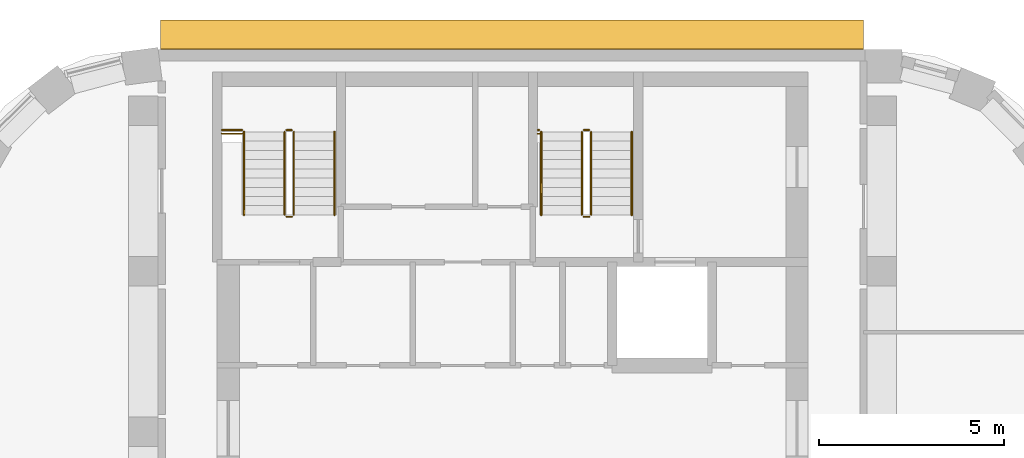
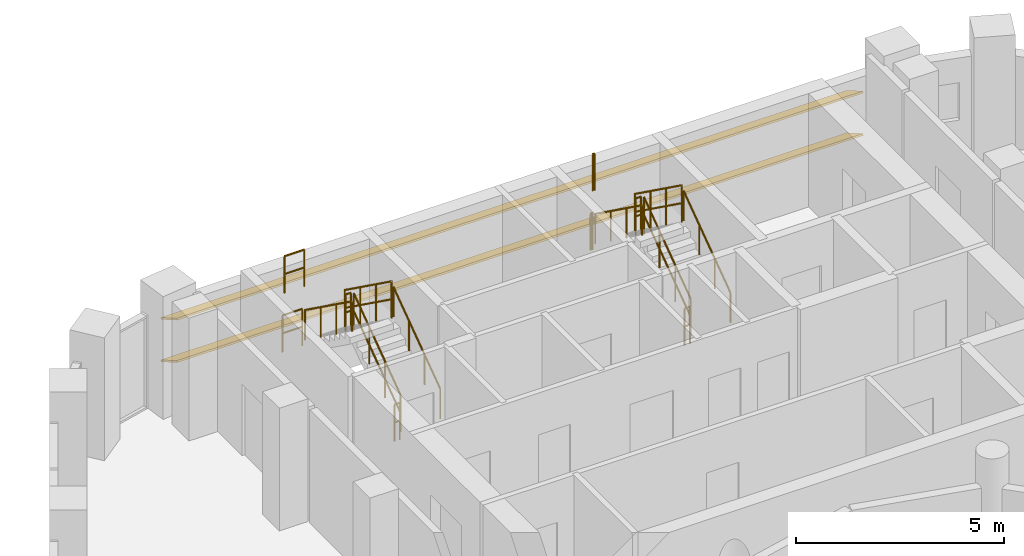
# One storey, part 16 of 16: 16 railings, 2 shading devices.
"""IFC4 building model written with IfcOpenShell, lengths in metres."""

import ifcopenshell
import ifcopenshell.guid

model = None  # the IFC model being written
_history = None  # IfcOwnerHistory: only IFC2X3 demands one
_inside = {}  # id of a spatial element -> (the spatial element, [elements in it])
_under = {}  # id of a project, library or spatial element -> (it, [spatial elements below it])
_declared = {}  # id of a project -> (the project, [libraries it declares])
_typed = {}  # id of a type object -> (the type object, [elements of that type])
_made_of = {}  # id of a material, layer set ... -> (it, [elements and type objects made of it])


def new_model(schema):
    """Start an empty IFC model of exactly this schema.

    Asked for "IFC4X3", IfcOpenShell would pick the latest addendum, in which some entities
    have other attributes; the version numbers below select the first issue.
    IFC2X3 requires an IfcOwnerHistory on every rooted entity: one is made here for all.
    """
    global model, _history
    if schema == "IFC4X3":
        model = ifcopenshell.file(schema_version=(4, 3, 0, 0))
    else:
        model = ifcopenshell.file(schema=schema)
    _inside.clear()
    _under.clear()
    _declared.clear()
    _typed.clear()
    _made_of.clear()
    _history = None
    if model.schema == "IFC2X3":
        org = make("IfcOrganization", Name="unknown")
        user = make(
            "IfcPersonAndOrganization",
            ThePerson=make("IfcPerson", FamilyName="unknown"),
            TheOrganization=org,
        )
        app = make(
            "IfcApplication",
            ApplicationDeveloper=org,
            Version="unknown",
            ApplicationFullName="unknown",
            ApplicationIdentifier="unknown",
        )
        _history = make(
            "IfcOwnerHistory",
            OwningUser=user,
            OwningApplication=app,
            ChangeAction="ADDED",
            CreationDate=0,
        )
    return model


def make(cls, **values):
    """One entity of the class cls with the attributes given. An attribute that is None is left unset."""
    return model.create_entity(
        cls, **{name: value for name, value in values.items() if value is not None}
    )


def rooted(cls, **values):
    """An entity with a GlobalId (a new one), such as an element, a storey or a relation."""
    return make(cls, GlobalId=ifcopenshell.guid.new(), OwnerHistory=_history, **values)


def si_unit(unit_type, name, prefix=None):
    """IfcSIUnit, for example si_unit("LENGTHUNIT", "METRE", prefix="MILLI")."""
    return make("IfcSIUnit", UnitType=unit_type, Prefix=prefix, Name=name)


def assignment(units):
    """IfcUnitAssignment: the units of a project."""
    return None if units is None else make("IfcUnitAssignment", Units=units)


def point(xyz):
    """IfcCartesianPoint."""
    return None if xyz is None else make("IfcCartesianPoint", Coordinates=xyz)


def direction(xyz):
    """IfcDirection."""
    return None if xyz is None else make("IfcDirection", DirectionRatios=xyz)


def frame(location, z_axis=None, x_axis=None):
    """IfcAxis2Placement3D, a coordinate frame: its origin and axes. An axis left out is left unset."""
    return make(
        "IfcAxis2Placement3D",
        Location=point(location),
        Axis=direction(z_axis),
        RefDirection=direction(x_axis),
    )


def frame_2d(location, x_axis=None):
    """IfcAxis2Placement2D, a coordinate frame in the plane: its origin and x axis."""
    return make(
        "IfcAxis2Placement2D", Location=point(location), RefDirection=direction(x_axis)
    )


def origin():
    """The frame at (0, 0, 0) with its axes left unset."""
    return frame((0.0, 0.0, 0.0))


def origin_2d():
    """The frame at (0, 0) in the plane with its x axis left unset."""
    return frame_2d((0.0, 0.0))


def place(relative_to, where):
    """IfcLocalPlacement: puts the frame where relative to a parent placement (None: the world)."""
    return make(
        "IfcLocalPlacement", PlacementRelTo=relative_to, RelativePlacement=where
    )


def context(
    kind, dimensions, precision=None, world=None, true_north=None, identifier=None
):
    """IfcGeometricRepresentationContext, for example the 3D "Model" context."""
    return make(
        "IfcGeometricRepresentationContext",
        ContextIdentifier=identifier,
        ContextType=kind,
        CoordinateSpaceDimension=dimensions,
        Precision=precision,
        WorldCoordinateSystem=world,
        TrueNorth=true_north,
    )


def subcontext(parent, identifier, kind, view, scale=None):
    """IfcGeometricRepresentationSubContext, for example "Body" below "Model"."""
    return make(
        "IfcGeometricRepresentationSubContext",
        ContextIdentifier=identifier,
        ContextType=kind,
        ParentContext=parent,
        TargetScale=scale,
        TargetView=view,
    )


def project(units=None, contexts=None):
    """IfcProject with its units and contexts."""
    return rooted(
        "IfcProject",
        Name="project",
        RepresentationContexts=contexts,
        UnitsInContext=assignment(units),
    )


def spatial(cls, under=None, at=None, **own):
    """A site, building, storey or space (cls), placed at a placement, below another one or the project."""
    s = rooted(cls, ObjectPlacement=at, **own)
    if under is not None:
        _under.setdefault(under.id(), (under, []))[1].append(s)
    return s


def profile(cls, at=None, kind="AREA", **sizes):
    """A parametric profile (cls). Its sizes go by their IFC names, for example OverallWidth=200.0."""
    return make(cls, ProfileType=kind, Position=at, **sizes)


def rectangle(**sizes):
    """IfcRectangleProfileDef."""
    return profile("IfcRectangleProfileDef", **sizes)


def circle(**sizes):
    """IfcCircleProfileDef."""
    return profile("IfcCircleProfileDef", **sizes)


def extrude(swept, where, along, depth):
    """IfcExtrudedAreaSolid: the profile swept, set in the frame where, extruded along a direction by depth."""
    return make(
        "IfcExtrudedAreaSolid",
        SweptArea=swept,
        Position=where,
        ExtrudedDirection=direction(along),
        Depth=depth,
    )


def shape(context_of_items, identifier, shape_type, items):
    """IfcShapeRepresentation: the items that make up one representation, for example the "Body"."""
    return make(
        "IfcShapeRepresentation",
        ContextOfItems=context_of_items,
        RepresentationIdentifier=identifier,
        RepresentationType=shape_type,
        Items=items,
    )


def material(Name=None, Category=None):
    """IfcMaterial."""
    return make("IfcMaterial", Name=Name, Category=Category)


def material_profile(
    of_material, cross_section, Name=None, Category=None, Priority=None
):
    """IfcMaterialProfile: a cross section and its material."""
    return make(
        "IfcMaterialProfile",
        Name=Name,
        Material=of_material,
        Profile=cross_section,
        Priority=Priority,
        Category=Category,
    )


def profile_set(profiles, Name=None, composite=None):
    """IfcMaterialProfileSet."""
    return make(
        "IfcMaterialProfileSet",
        Name=Name,
        MaterialProfiles=profiles,
        CompositeProfile=composite,
    )


def made_of(thing, what):
    """Note that an element or type object is made of a material, layer set ...; save() writes the relation."""
    if what is not None:
        _made_of.setdefault(what.id(), (what, []))[1].append(thing)
    return thing


def type_object(cls, material=None, **own):
    """A type object (cls), such as IfcWallType, which elements share."""
    return made_of(rooted(cls, **own), material)


def element(
    cls,
    number,
    at=None,
    inside=None,
    cuts=None,
    type_object=None,
    material=None,
    context=None,
    identifier="Body",
    shape_type=None,
    held_by="IfcProductDefinitionShape",
    body=None,
    shapes=None,
    **own,
):
    """One element of the class cls, such as IfcWall. Its Tag is "e" and its number.

    at: its placement. inside: the storey or other place that contains it. cuts: it is an
    opening in that element (IfcRelVoidsElement). A single representation is given by context,
    identifier, shape_type and body (its items); several are given by shapes. held_by: the class
    of the entity that holds the representations. save() writes the other relations.
    """
    e = rooted(cls, Tag="e%d" % number, ObjectPlacement=at, **own)
    if body is not None:
        shapes = [shape(context, identifier, shape_type, body)]
    if shapes is not None:
        e.Representation = make(held_by, Representations=shapes)
    if inside is not None:
        _inside.setdefault(inside.id(), (inside, []))[1].append(e)
    if cuts is not None:
        rooted(
            "IfcRelVoidsElement", RelatingBuildingElement=cuts, RelatedOpeningElement=e
        )
    if type_object is not None:
        _typed.setdefault(type_object.id(), (type_object, []))[1].append(e)
    return made_of(e, material)


def aggregate(whole, parts):
    """IfcRelAggregates: a whole, such as a stair, and the parts it consists of."""
    return rooted("IfcRelAggregates", RelatingObject=whole, RelatedObjects=parts)


def save(model, path):
    """Write the relations noted so far, then the file.

    IfcRelAggregates (storeys below a building ...), IfcRelContainedInSpatialStructure (elements
    in a storey), IfcRelDefinesByType, IfcRelAssociatesMaterial and IfcRelDeclares: one each for
    every whole, place, type object, material and project.
    """
    for whole, parts in _under.values():
        aggregate(whole, parts)
    for where, things in _inside.values():
        rooted(
            "IfcRelContainedInSpatialStructure",
            RelatedElements=things,
            RelatingStructure=where,
        )
    for kind, things in _typed.values():
        rooted("IfcRelDefinesByType", RelatedObjects=things, RelatingType=kind)
    for what, things in _made_of.values():
        rooted("IfcRelAssociatesMaterial", RelatedObjects=things, RelatingMaterial=what)
    for by, libraries in _declared.values():
        rooted("IfcRelDeclares", RelatingContext=by, RelatedDefinitions=libraries)
    model.write(path)


model = new_model("IFC4")

# Units and contexts
model_context = context("Model", 3, precision=1e-05, world=origin(), true_north=direction((0.0, 1.0)))
body_context = subcontext(model_context, "Body", "Model", "MODEL_VIEW")
ifc_project = project(units=[si_unit("LENGTHUNIT", "METRE"), si_unit("AREAUNIT", "SQUARE_METRE"), si_unit("VOLUMEUNIT", "CUBIC_METRE"), si_unit("PLANEANGLEUNIT", "RADIAN"), si_unit("MASSUNIT", "GRAM", prefix="KILO")], contexts=[model_context])

# Site, building, storey
site_placement = place(None, origin())
site = spatial("IfcSite", under=ifc_project, at=site_placement, CompositionType="ELEMENT")
building_placement = place(site_placement, origin())
building = spatial("IfcBuilding", under=site, at=building_placement, Name="Nakaniwa Court", CompositionType="ELEMENT")
storey_placement = place(building_placement, frame((0.0, 0.0, 272.39990234375)))
storey = spatial("IfcBuildingStorey", under=building, at=storey_placement, Name="C01", CompositionType="ELEMENT", Elevation=272.39990234375)

# Shading devices
ifc_material_1 = material(Name="Perforated charcoal ceramic louvre blade")
ifc_material_profile = material_profile(ifc_material_1, rectangle(XDim=0.89990234375, YDim=0.050048828125, at=origin_2d()), Name="Perforated ceramic louvre blade")
ifc_profile_set = profile_set([ifc_material_profile], Name="Perforated charcoal ceramic louvre blade")
shading_device_type = type_object("IfcShadingDeviceType", Name="Perforated ceramic louvre blade", PredefinedType="JALOUSIE", material=ifc_profile_set)
for number, where, z_axis, x_axis, name in (
    (1, (89.499267578125, 103.05224609375, 0.550048828125), (-1.0, 0.0, 0.0), (0.0, -0.866025403784, 0.5), "C01 perforated ceramic louvre blade w08 1"),
    (2, (89.499267578125, 103.05224609375, 1.79345703125), (-1.0, 0.0, 0.0), (0.0, -0.866025403784, 0.5), "C01 perforated ceramic louvre blade w08 2"),
):
    element("IfcShadingDevice", number, at=place(storey_placement, frame(where, z_axis=z_axis, x_axis=x_axis)), inside=storey, type_object=shading_device_type, Name=name, PredefinedType="JALOUSIE", context=body_context, shape_type="SweptSolid", body=[
        extrude(rectangle(XDim=0.89990234375, YDim=0.050048828125, at=origin_2d()), origin(), (0.0, 0.0, 1.0), 19.03369140625),
    ])

# Railings
ifc_material_2 = material(Name="Black powder coated steel guard", Category="steel")
railing_type_1 = type_object("IfcRailingType", Name="Stair guard 1100", PredefinedType="GUARDRAIL", material=ifc_material_2)
railing_1_placement = place(storey_placement, frame((74.074951171875, 98.175048828125, 0.18017578125)))
element("IfcRailing", 3, at=railing_1_placement, inside=storey, type_object=railing_type_1, Name="C01 ST1 stair guard 1", PredefinedType="GUARDRAIL", context=body_context, shape_type="SweptSolid", body=[
    extrude(circle(Radius=0.02392578125, at=origin_2d()), frame((0.0, 0.0, 1.076171875), z_axis=(0.0, 0.811556054185, 0.58427456809), x_axis=(-1.0, 0.0, 0.0)), (0.0, 0.0, 1.0), 2.7724609375),
    extrude(circle(Radius=0.02392578125, at=origin_2d()), frame((0.0, 0.0, 0.550048828125), z_axis=(0.0, 0.811556054185, 0.58427456809), x_axis=(-1.0, 0.0, 0.0)), (0.0, 0.0, 1.0), 2.7724609375),
    extrude(circle(Radius=0.02099609375, at=origin_2d()), origin(), (0.0, 0.0, 1.0), 1.052001953125),
    extrude(circle(Radius=0.02099609375, at=origin_2d()), frame((0.0, 0.75, 0.5400390625)), (0.0, 0.0, 1.0), 1.052001953125),
    extrude(circle(Radius=0.02099609375, at=origin_2d()), frame((0.0, 1.5, 1.079833984375)), (0.0, 0.0, 1.0), 1.052001953125),
    extrude(circle(Radius=0.02099609375, at=origin_2d()), frame((0.0, 2.25, 1.619873046875)), (0.0, 0.0, 1.0), 1.052001953125),
])
railing_2_placement = place(storey_placement, frame((74.02490234375, 100.47509765625, 1.800048828125)))
element("IfcRailing", 4, at=railing_2_placement, inside=storey, type_object=railing_type_1, Name="C01 ST1 stair guard 2", PredefinedType="GUARDRAIL", context=body_context, shape_type="SweptSolid", body=[
    extrude(circle(Radius=0.02392578125, at=origin_2d()), frame((0.0, 0.0, 1.076171875), z_axis=(-1.0, 0.0, 0.0), x_axis=(0.0, -1.0, 0.0)), (0.0, 0.0, 1.0), 0.14990234375),
    extrude(circle(Radius=0.02392578125, at=origin_2d()), frame((0.0, 0.0, 0.550048828125), z_axis=(-1.0, 0.0, 0.0), x_axis=(0.0, -1.0, 0.0)), (0.0, 0.0, 1.0), 0.14990234375),
    extrude(circle(Radius=0.02099609375, at=origin_2d()), origin(), (0.0, 0.0, 1.0), 1.052001953125),
    extrude(circle(Radius=0.02099609375, at=origin_2d()), frame((-0.14990234375, 0.0, 0.0)), (0.0, 0.0, 1.0), 1.052001953125),
])
railing_3_placement = place(storey_placement, frame((73.824951171875, 100.425048828125, 1.97998046875)))
element("IfcRailing", 5, at=railing_3_placement, inside=storey, type_object=railing_type_1, Name="C01 ST1 stair guard 3", PredefinedType="GUARDRAIL", context=body_context, shape_type="SweptSolid", body=[
    extrude(circle(Radius=0.02392578125, at=origin_2d()), frame((0.0, 0.0, 1.076171875), z_axis=(0.0, -0.811514298965, 0.584332561625), x_axis=(1.0, 0.0, 0.0)), (0.0, 0.0, 1.0), 2.772705078125),
    extrude(circle(Radius=0.02392578125, at=origin_2d()), frame((0.0, 0.0, 0.550048828125), z_axis=(0.0, -0.811514298965, 0.584332561625), x_axis=(1.0, 0.0, 0.0)), (0.0, 0.0, 1.0), 2.772705078125),
    extrude(circle(Radius=0.02099609375, at=origin_2d()), origin(), (0.0, 0.0, 1.0), 1.052001953125),
    extrude(circle(Radius=0.02099609375, at=origin_2d()), frame((0.0, -0.75, 0.5400390625)), (0.0, 0.0, 1.0), 1.052001953125),
    extrude(circle(Radius=0.02099609375, at=origin_2d()), frame((0.0, -1.5, 1.080078125)), (0.0, 0.0, 1.0), 1.052001953125),
    extrude(circle(Radius=0.02099609375, at=origin_2d()), frame((0.0, -2.25, 1.6201171875)), (0.0, 0.0, 1.0), 1.052001953125),
])
railing_4_placement = place(storey_placement, frame((74.02490234375, 98.125, 0.0)))
element("IfcRailing", 6, at=railing_4_placement, inside=storey, type_object=railing_type_1, Name="C01 ST1 stair guard 4", PredefinedType="GUARDRAIL", context=body_context, shape_type="SweptSolid", body=[
    extrude(circle(Radius=0.02392578125, at=origin_2d()), frame((0.0, 0.0, 1.076171875), z_axis=(-1.0, 0.0, 0.0), x_axis=(0.0, -1.0, 0.0)), (0.0, 0.0, 1.0), 0.14990234375),
    extrude(circle(Radius=0.02392578125, at=origin_2d()), frame((0.0, 0.0, 0.550048828125), z_axis=(-1.0, 0.0, 0.0), x_axis=(0.0, -1.0, 0.0)), (0.0, 0.0, 1.0), 0.14990234375),
    extrude(circle(Radius=0.02099609375, at=origin_2d()), origin(), (0.0, 0.0, 1.0), 1.052001953125),
    extrude(circle(Radius=0.02099609375, at=origin_2d()), frame((-0.14990234375, 0.0, 0.0)), (0.0, 0.0, 1.0), 1.052001953125),
])
for number, where, name in (
    (7, (72.125, 100.47509765625, 1.800048828125), "C01 ST1 landing side guard 1W"),
    (8, (72.125, 100.375, 3.60009765625), "C01 ST1 floor edge guard 1W"),
):
    element("IfcRailing", number, at=place(storey_placement, frame(where)), inside=storey, type_object=railing_type_1, Name=name, PredefinedType="GUARDRAIL", context=body_context, shape_type="SweptSolid", body=[
        extrude(circle(Radius=0.02392578125, at=origin_2d()), frame((0.0, 0.0, 1.076171875), z_axis=(1.0, 0.0, 0.0), x_axis=(0.0, 1.0, 0.0)), (0.0, 0.0, 1.0), 0.550048828125),
        extrude(circle(Radius=0.02392578125, at=origin_2d()), frame((0.0, 0.0, 0.550048828125), z_axis=(1.0, 0.0, 0.0), x_axis=(0.0, 1.0, 0.0)), (0.0, 0.0, 1.0), 0.550048828125),
        extrude(circle(Radius=0.02099609375, at=origin_2d()), origin(), (0.0, 0.0, 1.0), 1.052001953125),
        extrude(circle(Radius=0.02099609375, at=origin_2d()), frame((0.550048828125, 0.0, 0.0)), (0.0, 0.0, 1.0), 1.052001953125),
    ])
railing_5_placement = place(storey_placement, frame((82.125, 98.175048828125, 0.18017578125)))
element("IfcRailing", 9, at=railing_5_placement, inside=storey, type_object=railing_type_1, Name="C01 ST2 stair guard 1", PredefinedType="GUARDRAIL", context=body_context, shape_type="SweptSolid", body=[
    extrude(circle(Radius=0.02392578125, at=origin_2d()), frame((0.0, 0.0, 1.076171875), z_axis=(0.0, 0.811556054185, 0.58427456809), x_axis=(-1.0, 0.0, 0.0)), (0.0, 0.0, 1.0), 2.7724609375),
    extrude(circle(Radius=0.02392578125, at=origin_2d()), frame((0.0, 0.0, 0.550048828125), z_axis=(0.0, 0.811556054185, 0.58427456809), x_axis=(-1.0, 0.0, 0.0)), (0.0, 0.0, 1.0), 2.7724609375),
    extrude(circle(Radius=0.02099609375, at=origin_2d()), origin(), (0.0, 0.0, 1.0), 1.052001953125),
    extrude(circle(Radius=0.02099609375, at=origin_2d()), frame((0.0, 0.75, 0.5400390625)), (0.0, 0.0, 1.0), 1.052001953125),
    extrude(circle(Radius=0.02099609375, at=origin_2d()), frame((0.0, 1.5, 1.079833984375)), (0.0, 0.0, 1.0), 1.052001953125),
    extrude(circle(Radius=0.02099609375, at=origin_2d()), frame((0.0, 2.25, 1.619873046875)), (0.0, 0.0, 1.0), 1.052001953125),
])
railing_6_placement = place(storey_placement, frame((82.074951171875, 100.47509765625, 1.800048828125)))
element("IfcRailing", 10, at=railing_6_placement, inside=storey, type_object=railing_type_1, Name="C01 ST2 stair guard 2", PredefinedType="GUARDRAIL", context=body_context, shape_type="SweptSolid", body=[
    extrude(circle(Radius=0.02392578125, at=origin_2d()), frame((0.0, 0.0, 1.076171875), z_axis=(-1.0, 0.0, 0.0), x_axis=(0.0, -1.0, 0.0)), (0.0, 0.0, 1.0), 0.14990234375),
    extrude(circle(Radius=0.02392578125, at=origin_2d()), frame((0.0, 0.0, 0.550048828125), z_axis=(-1.0, 0.0, 0.0), x_axis=(0.0, -1.0, 0.0)), (0.0, 0.0, 1.0), 0.14990234375),
    extrude(circle(Radius=0.02099609375, at=origin_2d()), origin(), (0.0, 0.0, 1.0), 1.052001953125),
    extrude(circle(Radius=0.02099609375, at=origin_2d()), frame((-0.14990234375, 0.0, 0.0)), (0.0, 0.0, 1.0), 1.052001953125),
])
railing_7_placement = place(storey_placement, frame((81.875, 100.425048828125, 1.97998046875)))
element("IfcRailing", 11, at=railing_7_placement, inside=storey, type_object=railing_type_1, Name="C01 ST2 stair guard 3", PredefinedType="GUARDRAIL", context=body_context, shape_type="SweptSolid", body=[
    extrude(circle(Radius=0.02392578125, at=origin_2d()), frame((0.0, 0.0, 1.076171875), z_axis=(0.0, -0.811514298965, 0.584332561625), x_axis=(1.0, 0.0, 0.0)), (0.0, 0.0, 1.0), 2.772705078125),
    extrude(circle(Radius=0.02392578125, at=origin_2d()), frame((0.0, 0.0, 0.550048828125), z_axis=(0.0, -0.811514298965, 0.584332561625), x_axis=(1.0, 0.0, 0.0)), (0.0, 0.0, 1.0), 2.772705078125),
    extrude(circle(Radius=0.02099609375, at=origin_2d()), origin(), (0.0, 0.0, 1.0), 1.052001953125),
    extrude(circle(Radius=0.02099609375, at=origin_2d()), frame((0.0, -0.75, 0.5400390625)), (0.0, 0.0, 1.0), 1.052001953125),
    extrude(circle(Radius=0.02099609375, at=origin_2d()), frame((0.0, -1.5, 1.080078125)), (0.0, 0.0, 1.0), 1.052001953125),
    extrude(circle(Radius=0.02099609375, at=origin_2d()), frame((0.0, -2.25, 1.6201171875)), (0.0, 0.0, 1.0), 1.052001953125),
])
railing_8_placement = place(storey_placement, frame((82.074951171875, 98.125, 0.0)))
element("IfcRailing", 12, at=railing_8_placement, inside=storey, type_object=railing_type_1, Name="C01 ST2 stair guard 4", PredefinedType="GUARDRAIL", context=body_context, shape_type="SweptSolid", body=[
    extrude(circle(Radius=0.02392578125, at=origin_2d()), frame((0.0, 0.0, 1.076171875), z_axis=(-1.0, 0.0, 0.0), x_axis=(0.0, -1.0, 0.0)), (0.0, 0.0, 1.0), 0.14990234375),
    extrude(circle(Radius=0.02392578125, at=origin_2d()), frame((0.0, 0.0, 0.550048828125), z_axis=(-1.0, 0.0, 0.0), x_axis=(0.0, -1.0, 0.0)), (0.0, 0.0, 1.0), 0.14990234375),
    extrude(circle(Radius=0.02099609375, at=origin_2d()), origin(), (0.0, 0.0, 1.0), 1.052001953125),
    extrude(circle(Radius=0.02099609375, at=origin_2d()), frame((-0.14990234375, 0.0, 0.0)), (0.0, 0.0, 1.0), 1.052001953125),
])
for number, where, name in (
    (13, (80.675048828125, 100.47509765625, 1.800048828125), "C01 ST2 landing side guard 1W"),
    (14, (80.675048828125, 100.375, 3.60009765625), "C01 ST2 floor edge guard 1W"),
):
    element("IfcRailing", number, at=place(storey_placement, frame(where)), inside=storey, type_object=railing_type_1, Name=name, PredefinedType="GUARDRAIL", context=body_context, shape_type="SweptSolid", body=[
        extrude(circle(Radius=0.02392578125, at=origin_2d()), frame((0.0, 0.0, 1.076171875), z_axis=(1.0, 0.0, 0.0), x_axis=(0.0, 1.0, 0.0)), (0.0, 0.0, 1.0), 0.050048828125),
        extrude(circle(Radius=0.02392578125, at=origin_2d()), frame((0.0, 0.0, 0.550048828125), z_axis=(1.0, 0.0, 0.0), x_axis=(0.0, 1.0, 0.0)), (0.0, 0.0, 1.0), 0.050048828125),
        extrude(circle(Radius=0.02099609375, at=origin_2d()), origin(), (0.0, 0.0, 1.0), 1.052001953125),
        extrude(circle(Radius=0.02099609375, at=origin_2d()), frame((0.050048828125, 0.0, 0.0)), (0.0, 0.0, 1.0), 1.052001953125),
    ])
ifc_material_3 = material(Name="Black powder coated steel handrail", Category="steel")
railing_type_2 = type_object("IfcRailingType", Name="Stair handrail 900", PredefinedType="HANDRAIL", material=ifc_material_3)
railing_9_placement = place(storey_placement, frame((75.175048828125, 98.175048828125, 0.18017578125)))
element("IfcRailing", 15, at=railing_9_placement, inside=storey, type_object=railing_type_2, Name="C01 ST1 stair handrail 1", PredefinedType="HANDRAIL", context=body_context, shape_type="SweptSolid", body=[
    extrude(circle(Radius=0.02392578125, at=origin_2d()), frame((0.0, 0.0, 0.8759765625), z_axis=(0.0, 0.811556054185, 0.58427456809), x_axis=(-1.0, 0.0, 0.0)), (0.0, 0.0, 1.0), 2.7724609375),
    extrude(circle(Radius=0.02099609375, at=origin_2d()), origin(), (0.0, 0.0, 1.0), 0.851806640625),
    extrude(circle(Radius=0.02099609375, at=origin_2d()), frame((0.0, 0.75, 0.5400390625)), (0.0, 0.0, 1.0), 0.851806640625),
    extrude(circle(Radius=0.02099609375, at=origin_2d()), frame((0.0, 1.5, 1.079833984375)), (0.0, 0.0, 1.0), 0.851806640625),
    extrude(circle(Radius=0.02099609375, at=origin_2d()), frame((0.0, 2.25, 1.619873046875)), (0.0, 0.0, 1.0), 0.851806640625),
])
railing_10_placement = place(storey_placement, frame((72.72509765625, 100.425048828125, 1.97998046875)))
element("IfcRailing", 16, at=railing_10_placement, inside=storey, type_object=railing_type_2, Name="C01 ST1 stair handrail 2", PredefinedType="HANDRAIL", context=body_context, shape_type="SweptSolid", body=[
    extrude(circle(Radius=0.02392578125, at=origin_2d()), frame((0.0, 0.0, 0.8759765625), z_axis=(0.0, -0.811514298965, 0.584332561625), x_axis=(1.0, 0.0, 0.0)), (0.0, 0.0, 1.0), 2.772705078125),
    extrude(circle(Radius=0.02099609375, at=origin_2d()), origin(), (0.0, 0.0, 1.0), 0.851806640625),
    extrude(circle(Radius=0.02099609375, at=origin_2d()), frame((0.0, -0.75, 0.5400390625)), (0.0, 0.0, 1.0), 0.851806640625),
    extrude(circle(Radius=0.02099609375, at=origin_2d()), frame((0.0, -1.5, 1.080078125)), (0.0, 0.0, 1.0), 0.851806640625),
    extrude(circle(Radius=0.02099609375, at=origin_2d()), frame((0.0, -2.25, 1.6201171875)), (0.0, 0.0, 1.0), 0.851806640625),
])
railing_11_placement = place(storey_placement, frame((83.22509765625, 98.175048828125, 0.18017578125)))
element("IfcRailing", 17, at=railing_11_placement, inside=storey, type_object=railing_type_2, Name="C01 ST2 stair handrail 1", PredefinedType="HANDRAIL", context=body_context, shape_type="SweptSolid", body=[
    extrude(circle(Radius=0.02392578125, at=origin_2d()), frame((0.0, 0.0, 0.8759765625), z_axis=(0.0, 0.811556054185, 0.58427456809), x_axis=(-1.0, 0.0, 0.0)), (0.0, 0.0, 1.0), 2.7724609375),
    extrude(circle(Radius=0.02099609375, at=origin_2d()), origin(), (0.0, 0.0, 1.0), 0.851806640625),
    extrude(circle(Radius=0.02099609375, at=origin_2d()), frame((0.0, 0.75, 0.5400390625)), (0.0, 0.0, 1.0), 0.851806640625),
    extrude(circle(Radius=0.02099609375, at=origin_2d()), frame((0.0, 1.5, 1.079833984375)), (0.0, 0.0, 1.0), 0.851806640625),
    extrude(circle(Radius=0.02099609375, at=origin_2d()), frame((0.0, 2.25, 1.619873046875)), (0.0, 0.0, 1.0), 0.851806640625),
])
railing_12_placement = place(storey_placement, frame((80.77490234375, 100.425048828125, 1.97998046875)))
element("IfcRailing", 18, at=railing_12_placement, inside=storey, type_object=railing_type_2, Name="C01 ST2 stair handrail 2", PredefinedType="HANDRAIL", context=body_context, shape_type="SweptSolid", body=[
    extrude(circle(Radius=0.02392578125, at=origin_2d()), frame((0.0, 0.0, 0.8759765625), z_axis=(0.0, -0.811514298965, 0.584332561625), x_axis=(1.0, 0.0, 0.0)), (0.0, 0.0, 1.0), 2.772705078125),
    extrude(circle(Radius=0.02099609375, at=origin_2d()), origin(), (0.0, 0.0, 1.0), 0.851806640625),
    extrude(circle(Radius=0.02099609375, at=origin_2d()), frame((0.0, -0.75, 0.5400390625)), (0.0, 0.0, 1.0), 0.851806640625),
    extrude(circle(Radius=0.02099609375, at=origin_2d()), frame((0.0, -1.5, 1.080078125)), (0.0, 0.0, 1.0), 0.851806640625),
    extrude(circle(Radius=0.02099609375, at=origin_2d()), frame((0.0, -2.25, 1.6201171875)), (0.0, 0.0, 1.0), 0.851806640625),
])

save(model, "model.ifc")
